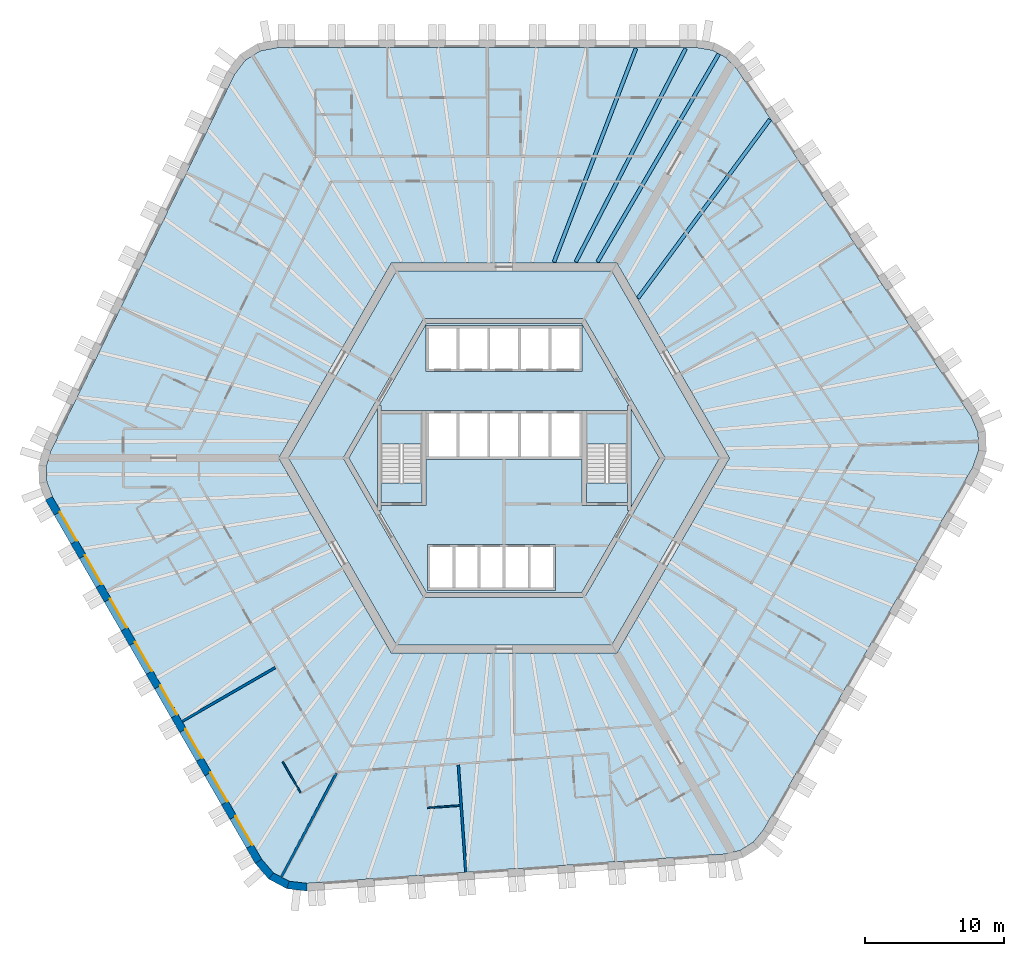
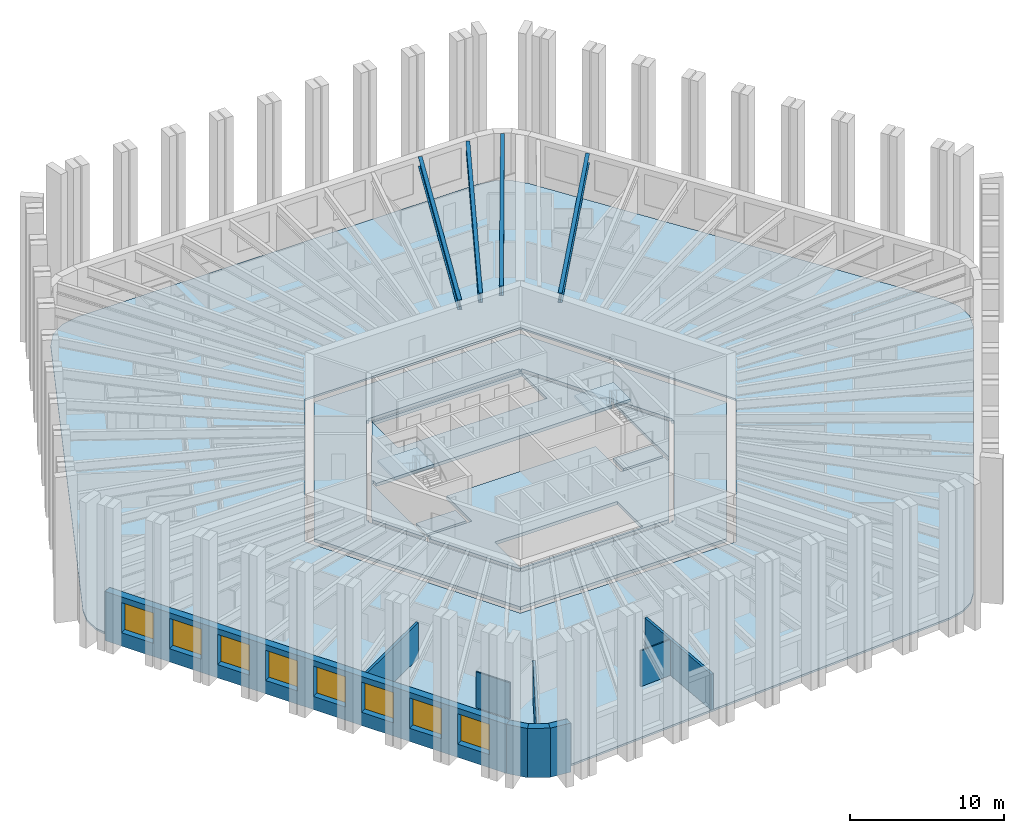
# One storey, part 2 of 13: 10 slabs, 9 walls, 8 windows, 4 beams, 8 openings, 2 elements without a shape of their own.
"""IFC4 building model written with IfcOpenShell, lengths in metres."""

from ifc_helpers import new_model, si_unit, direction, frame, frame_2d, origin, origin_2d, place, context, subcontext, project, spatial, polyline, rectangle, i_section, outline, extrude, material, layer, layer_set, material_profile, profile_set, type_object, element, fill, aggregate, save


model = new_model("IFC4")

# Units and contexts
model_context = context("Model", 3, precision=1e-05, world=origin(), true_north=direction((0.0, 1.0)))
body_context = subcontext(model_context, "Body", "Model", "MODEL_VIEW")
ifc_project = project(units=[si_unit("LENGTHUNIT", "METRE"), si_unit("AREAUNIT", "SQUARE_METRE"), si_unit("VOLUMEUNIT", "CUBIC_METRE"), si_unit("PLANEANGLEUNIT", "RADIAN"), si_unit("MASSUNIT", "GRAM", prefix="KILO")], contexts=[model_context])

# Site, building, storey
site_placement = place(None, origin())
site = spatial("IfcSite", under=ifc_project, at=site_placement, CompositionType="ELEMENT")
building_placement = place(site_placement, origin())
building = spatial("IfcBuilding", under=site, at=building_placement, Name="Tarnside Tower", CompositionType="ELEMENT")
storey_placement = place(building_placement, frame((0.0, 0.0, 135.0)))
storey = spatial("IfcBuildingStorey", under=building, at=storey_placement, Name="L31", CompositionType="ELEMENT", Elevation=135.0)

# Beams
ifc_material_1 = material(Name="Steel S355", Category="steel")
ifc_material_profile = material_profile(ifc_material_1, i_section(OverallWidth=0.2666015625, OverallDepth=0.76220703125, WebThickness=0.014404296875, FlangeThickness=0.021484375, FilletRadius=0.0166015625, at=origin_2d()), Name="UB 762x267x173")
ifc_profile_set = profile_set([ifc_material_profile], Name="Steel S355")
beam_type = type_object("IfcBeamType", Name="Floor beam UB 762x267x173", PredefinedType="BEAM", material=ifc_profile_set)
beam_1_placement = place(storey_placement, frame((13.0283203125, 29.37890625, 3.368896484375), z_axis=(-0.457973226459, -0.888965985765, 0.0), x_axis=(0.888965985765, -0.457973226459, 0.0)))
element("IfcBeam", 1, at=beam_1_placement, inside=storey, type_object=beam_type, Name="Floor beam F1.01", PredefinedType="BEAM", context=body_context, shape_type="SweptSolid", body=[
    extrude(i_section(OverallWidth=0.2666015625, OverallDepth=0.76220703125, WebThickness=0.014404296875, FlangeThickness=0.021484375, FilletRadius=0.0166015625, at=origin_2d()), origin(), (0.0, 0.0, 1.0), 17.219970703125),
])
beam_2_placement = place(storey_placement, frame((9.4619140625, 29.39404296875, 3.368896484375), z_axis=(-0.358299847269, -0.933606565662, 0.0), x_axis=(0.933606565662, -0.358299847269, 0.0)))
element("IfcBeam", 2, at=beam_2_placement, inside=storey, type_object=beam_type, Name="Floor beam F1.02", PredefinedType="BEAM", context=body_context, shape_type="SweptSolid", body=[
    extrude(i_section(OverallWidth=0.2666015625, OverallDepth=0.76220703125, WebThickness=0.014404296875, FlangeThickness=0.021484375, FilletRadius=0.0166015625, at=origin_2d()), origin(), (0.0, 0.0, 1.0), 16.428955078125),
])
beam_3_placement = place(storey_placement, frame((19.072021484375, 24.28857421875, 3.368896484375), z_axis=(-0.593986893499, -0.804474717037, 0.0), x_axis=(0.804474717037, -0.593986893499, 0.0)))
element("IfcBeam", 3, at=beam_3_placement, inside=storey, type_object=beam_type, Name="Floor beam F6.08", PredefinedType="BEAM", context=body_context, shape_type="SweptSolid", body=[
    extrude(i_section(OverallWidth=0.2666015625, OverallDepth=0.76220703125, WebThickness=0.014404296875, FlangeThickness=0.021484375, FilletRadius=0.0166015625, at=origin_2d()), origin(), (0.0, 0.0, 1.0), 15.934326171875),
])
beam_4_placement = place(storey_placement, frame((15.4013671875, 28.990478515625, 3.368896484375), z_axis=(-0.503858723096, -0.863786077198, 0.0), x_axis=(0.863786077198, -0.503858723096, 0.0)))
element("IfcBeam", 4, at=beam_4_placement, inside=storey, type_object=beam_type, Name="Floor beam C6", PredefinedType="BEAM", context=body_context, shape_type="SweptSolid", body=[
    extrude(i_section(OverallWidth=0.2666015625, OverallDepth=0.76220703125, WebThickness=0.014404296875, FlangeThickness=0.021484375, FilletRadius=0.0166015625, at=origin_2d()), origin(), (0.0, 0.0, 1.0), 17.2744140625),
])

# Slabs
ifc_material_2 = material(Name="Concrete C35/45", Category="concrete")
ifc_layer_1 = layer(ifc_material_2, 0.14990234375)
ifc_layer_set_1 = layer_set([ifc_layer_1], Name="Composite floor slab 150")
slab_type_1 = type_object("IfcSlabType", Name="Composite floor slab 150", PredefinedType="FLOOR", material=ifc_layer_set_1)
slab_1_placement = place(storey_placement, frame((0.0, 0.0, -0.14990234375)))
element("IfcSlab", 5, at=slab_1_placement, inside=storey, type_object=slab_type_1, Name="Floor slab L31", PredefinedType="FLOOR", context=body_context, shape_type="SweptSolid", body=[
    extrude(outline(polyline([(14.927490234375, 29.264892578125), (15.91455078125, 28.740234375), (16.697265625, 27.91064453125), (33.48583984375, 3.0205078125), (34.001220703125, 1.825439453125), (34.0458984375, 0.55078125), (33.614990234375, -0.67724609375), (18.603515625, -26.677978515625), (17.880615234375, -27.56005859375), (16.9326171875, -28.15234375), (15.82275390625, -28.41552734375), (-14.127197265625, -30.509765625), (-15.419921875, -30.358642578125), (-16.5458984375, -29.760009765625), (-17.39404296875, -28.772705078125), (-32.405517578125, -2.772216796875), (-32.80810546875, -1.704833984375), (-32.846923828125, -0.587890625), (-32.52001953125, 0.5048828125), (-19.358642578125, 27.4892578125), (-18.58154296875, 28.533203125), (-17.5, 29.208984375), (-16.220947265625, 29.449951171875), (13.802001953125, 29.449951171875), (14.927490234375, 29.264892578125)]), holes=[polyline([(-16.165771484375, 0.0), (-8.0830078125, -14.0), (8.0830078125, -14.0), (16.165771484375, 0.0), (8.0830078125, 14.0), (-8.0830078125, 14.0), (-16.165771484375, 0.0)])]), origin(), (0.0, 0.0, 1.0), 0.14990234375),
])
ifc_material_3 = material(Name="Concrete C40/50", Category="concrete")
ifc_layer_2 = layer(ifc_material_3, 0.25)
ifc_layer_set_2 = layer_set([ifc_layer_2], Name="Core slab C40/50")
slab_type_2 = type_object("IfcSlabType", Name="Core slab C40/50", PredefinedType="FLOOR", material=ifc_layer_set_2)
slab_2_placement = place(storey_placement, frame((0.0, 0.0, -0.25)))
element("IfcSlab", 6, at=slab_2_placement, inside=storey, type_object=slab_type_2, Name="L31 core floor slab 1", PredefinedType="FLOOR", context=body_context, shape_type="SweptSolid", body=[
    extrude(outline(polyline([(-15.472900390625, 0.0), (-7.736572265625, 13.39990234375), (7.736572265625, 13.39990234375), (15.472900390625, 0.0), (7.736572265625, -13.39990234375), (-7.736572265625, -13.39990234375), (-15.472900390625, 0.0)]), holes=[polyline([(5.823974609375, -9.91259765625), (11.49658203125, -0.08740234375), (11.344970703125, 0.0), (11.49658203125, 0.08740234375), (5.823974609375, 9.91259765625), (5.672607421875, 9.824951171875), (5.672607421875, 10.0), (-5.672607421875, 10.0), (-5.672607421875, 9.824951171875), (-5.823974609375, 9.91259765625), (-11.49658203125, 0.08740234375), (-11.344970703125, 0.0), (-11.49658203125, -0.08740234375), (-5.823974609375, -9.91259765625), (-5.672607421875, -9.824951171875), (-5.672607421875, -10.0), (5.672607421875, -10.0), (5.672607421875, -9.824951171875), (5.823974609375, -9.91259765625)])]), origin(), (0.0, 0.0, 1.0), 0.25),
])
slab_3_placement = place(storey_placement, frame((0.0, 0.0, -0.25)))
element("IfcSlab", 7, at=slab_3_placement, inside=storey, type_object=slab_type_2, Name="L31 core floor slab 2", PredefinedType="FLOOR", context=body_context, shape_type="SweptSolid", body=[
    extrude(outline(polyline([(-8.97509765625, 3.7548828125), (-5.5712890625, 9.64990234375), (5.5712890625, 9.64990234375), (8.97509765625, 3.7548828125), (8.85009765625, 3.7548828125), (8.85009765625, 3.39990234375), (5.89990234375, 3.39990234375), (5.60009765625, 3.39990234375), (5.60009765625, 3.39990234375), (-5.60009765625, 3.39990234375), (-5.89990234375, 3.39990234375), (-8.85009765625, 3.39990234375), (-8.85009765625, 3.7548828125), (-8.97509765625, 3.7548828125)]), holes=[polyline([(-5.60009765625, 6.199951171875), (5.60009765625, 6.199951171875), (5.60009765625, 6.39990234375), (5.60009765625, 9.300048828125), (5.60009765625, 9.5), (-5.60009765625, 9.5), (-5.60009765625, 9.300048828125), (-5.60009765625, 6.39990234375), (-5.60009765625, 6.199951171875)])]), origin(), (0.0, 0.0, 1.0), 0.25),
])
slab_4_placement = place(storey_placement, frame((0.0, 0.0, -0.25)))
element("IfcSlab", 8, at=slab_4_placement, inside=storey, type_object=slab_type_2, Name="L31 core floor slab 3", PredefinedType="FLOOR", context=body_context, shape_type="SweptSolid", body=[
    extrude(outline(polyline([(5.60009765625, -3.39990234375), (5.89990234375, -3.39990234375), (8.85009765625, -3.39990234375), (8.85009765625, -3.7548828125), (8.97509765625, -3.7548828125), (5.5712890625, -9.64990234375), (-5.5712890625, -9.64990234375), (-8.97509765625, -3.7548828125), (-8.85009765625, -3.7548828125), (-8.85009765625, -3.39990234375), (-5.89990234375, -3.39990234375), (-5.60009765625, -3.39990234375), (-5.60009765625, -0.10009765625), (5.60009765625, -0.10009765625), (5.60009765625, -3.39990234375)]), holes=[polyline([(-5.5, -9.300048828125), (-5.5, -9.5), (3.699951171875, -9.5), (3.699951171875, -9.300048828125), (3.699951171875, -6.39990234375), (3.699951171875, -6.199951171875), (-5.5, -6.199951171875), (-5.5, -6.39990234375), (-5.5, -9.300048828125)])]), origin(), (0.0, 0.0, 1.0), 0.25),
])
slab_5_placement = place(storey_placement, frame((0.0, 0.0, -0.25)))
element("IfcSlab", 9, at=slab_5_placement, inside=storey, type_object=slab_type_2, Name="L31 core floor slab 4", PredefinedType="FLOOR", context=body_context, shape_type="SweptSolid", body=[
    extrude(outline(polyline([(-11.142822265625, 0.0), (-9.10009765625, 3.538330078125), (-9.10009765625, -3.538330078125), (-11.142822265625, 0.0)])), origin(), (0.0, 0.0, 1.0), 0.25),
])
slab_6_placement = place(storey_placement, frame((0.0, 0.0, -0.25)))
element("IfcSlab", 10, at=slab_6_placement, inside=storey, type_object=slab_type_2, Name="L31 core floor slab 5", PredefinedType="FLOOR", context=body_context, shape_type="SweptSolid", body=[
    extrude(outline(polyline([(-8.85009765625, -1.800048828125), (-5.89990234375, -1.800048828125), (-5.89990234375, -3.199951171875), (-8.85009765625, -3.199951171875), (-8.85009765625, -1.800048828125)])), origin(), (0.0, 0.0, 1.0), 0.25),
])
slab_7_placement = place(storey_placement, frame((0.0, 0.0, -0.25)))
element("IfcSlab", 11, at=slab_7_placement, inside=storey, type_object=slab_type_2, Name="L31 core floor slab 6", PredefinedType="FLOOR", context=body_context, shape_type="SweptSolid", body=[
    extrude(outline(polyline([(5.89990234375, -3.199951171875), (5.89990234375, -1.800048828125), (8.85009765625, -1.800048828125), (8.85009765625, -3.199951171875), (5.89990234375, -3.199951171875)])), origin(), (0.0, 0.0, 1.0), 0.25),
])
slab_8_placement = place(storey_placement, frame((0.0, 0.0, -0.25)))
element("IfcSlab", 12, at=slab_8_placement, inside=storey, type_object=slab_type_2, Name="L31 core floor slab 7", PredefinedType="FLOOR", context=body_context, shape_type="SweptSolid", body=[
    extrude(outline(polyline([(9.10009765625, -3.538330078125), (9.10009765625, 3.538330078125), (11.142822265625, 0.0), (9.10009765625, -3.538330078125)])), origin(), (0.0, 0.0, 1.0), 0.25),
])

# Stair, slab
stair_type = type_object("IfcStairType", Name="Exit stair 1400 clear", PredefinedType="HALF_TURN_STAIR", material=ifc_material_3)
stair_1_placement = place(storey_placement, origin())
stair_1 = element("IfcStair", 13, at=stair_1_placement, inside=storey, type_object=stair_type, Name="L31 Exit stair 1", PredefinedType="HALF_TURN_STAIR")
ifc_layer_3 = layer(ifc_material_3, 0.199951171875)
ifc_layer_set_3 = layer_set([ifc_layer_3], Name="Stair landing 200 C40/50")
slab_type_3 = type_object("IfcSlabType", Name="Stair landing 200 C40/50", PredefinedType="LANDING", material=ifc_layer_set_3)
slab_9_placement = place(storey_placement, frame((0.0, 0.0, 1.75)))
slab_9 = element("IfcSlab", 14, at=slab_9_placement, type_object=slab_type_3, Name="ST1 landing 1", PredefinedType="LANDING", context=body_context, shape_type="SweptSolid", body=[
    extrude(outline(polyline([(8.85009765625, 1.0), (8.85009765625, 3.199951171875), (5.89990234375, 3.199951171875), (5.89990234375, 1.0), (8.85009765625, 1.0)])), origin(), (0.0, 0.0, 1.0), 0.199951171875),
])
aggregate(stair_1, [slab_9])

stair_2_placement = place(storey_placement, origin())
stair_2 = element("IfcStair", 15, at=stair_2_placement, inside=storey, type_object=stair_type, Name="L31 Exit stair 2", PredefinedType="HALF_TURN_STAIR")
slab_10_placement = place(storey_placement, frame((0.0, 0.0, 1.75)))
slab_10 = element("IfcSlab", 16, at=slab_10_placement, type_object=slab_type_3, Name="ST2 landing 1", PredefinedType="LANDING", context=body_context, shape_type="SweptSolid", body=[
    extrude(outline(polyline([(-5.89990234375, 1.0), (-5.89990234375, 3.199951171875), (-8.85009765625, 3.199951171875), (-8.85009765625, 1.0), (-5.89990234375, 1.0)])), origin(), (0.0, 0.0, 1.0), 0.199951171875),
])
aggregate(stair_2, [slab_10])

# Walls
ifc_material_4 = material(Name="Gypsum board partition on steel studs", Category="steel")
ifc_layer_4 = layer(ifc_material_4, 0.10009765625)
ifc_layer_set_4 = layer_set([ifc_layer_4], Name="Bathroom wall 100")
wall_type_1 = type_object("IfcWallType", Name="Bathroom wall 100", PredefinedType="PARTITIONING", material=ifc_layer_set_4)
wall_1_placement = place(storey_placement, frame((-14.6083984375, -23.99755859375, 0.0), z_axis=(0.0, 0.0, 1.0), x_axis=(-0.499990435942, 0.866030925526, 0.0)))
element("IfcWall", 17, at=wall_1_placement, inside=storey, type_object=wall_type_1, Name="Bathroom wall 10118", PredefinedType="PARTITIONING", context=body_context, shape_type="SweptSolid", body=[
    extrude(rectangle(XDim=2.5498046875, YDim=0.10009765625, at=frame_2d((1.27490234375, 0.0))), origin(), (0.0, 0.0, 1.0), 2.837890625),
])
wall_2_placement = place(storey_placement, frame((-3.169677734375, -24.931884765625, 0.0), z_axis=(0.0, 0.0, 1.0), x_axis=(-0.997564338377, -0.069752353356, 0.0)))
element("IfcWall", 18, at=wall_2_placement, inside=storey, type_object=wall_type_1, Name="Bathroom wall 10121", PredefinedType="PARTITIONING", context=body_context, shape_type="SweptSolid", body=[
    extrude(rectangle(XDim=2.31005859375, YDim=0.10009765625, at=frame_2d((1.155029296875, 0.0))), origin(), (0.0, 0.0, 1.0), 2.837890625),
])
ifc_layer_5 = layer(ifc_material_4, 0.179931640625)
ifc_layer_set_5 = layer_set([ifc_layer_5], Name="Demising wall 180 EI 60")
wall_type_2 = type_object("IfcWallType", Name="Demising wall 180 EI 60", PredefinedType="PARTITIONING", material=ifc_layer_set_5)
wall_3_placement = place(storey_placement, frame((-23.098876953125, -18.8916015625, 0.0), z_axis=(0.0, 0.0, 1.0), x_axis=(0.866019273868, 0.500010617176, 0.0)))
element("IfcWall", 19, at=wall_3_placement, inside=storey, type_object=wall_type_2, Name="Demising wall 10116", PredefinedType="PARTITIONING", context=body_context, shape_type="SweptSolid", body=[
    extrude(rectangle(XDim=7.724853515625, YDim=0.179931640625, at=frame_2d((3.8623046875, 0.0))), origin(), (0.0, 0.0, 1.0), 2.837890625),
])
wall_4_placement = place(storey_placement, frame((-15.98291015625, -30.059326171875, 0.0), z_axis=(0.0, 0.0, 1.0), x_axis=(0.469475065364, 0.882945730496, 0.0)))
element("IfcWall", 20, at=wall_4_placement, inside=storey, type_object=wall_type_2, Name="Demising wall 10120", PredefinedType="PARTITIONING", context=body_context, shape_type="SweptSolid", body=[
    extrude(rectangle(XDim=8.426513671875, YDim=0.179931640625, at=frame_2d((4.21337890625, 0.0))), origin(), (0.0, 0.0, 1.0), 2.837890625),
])
wall_5_placement = place(storey_placement, frame((-2.7451171875, -29.7138671875, 0.0), z_axis=(0.0, 0.0, 1.0), x_axis=(-0.069748931501, 0.997564577636, 0.0)))
element("IfcWall", 21, at=wall_5_placement, inside=storey, type_object=wall_type_2, Name="Demising wall 10123", PredefinedType="PARTITIONING", context=body_context, shape_type="SweptSolid", body=[
    extrude(rectangle(XDim=7.72509765625, YDim=0.179931640625, at=frame_2d((3.862548828125, 0.0))), origin(), (0.0, 0.0, 1.0), 2.837890625),
])

# Wall, openings, windows
ifc_material_5 = material(Name="Facing brick", Category="masonry")
ifc_layer_6 = layer(ifc_material_5, 0.10205078125)
ifc_material_6 = material(Name="Concrete C60/75 precast", Category="concrete")
ifc_layer_7 = layer(ifc_material_6, 0.347900390625)
ifc_material_7 = material(Name="Mineral wool insulation")
ifc_layer_8 = layer(ifc_material_7, 0.10009765625)
ifc_layer_set_6 = layer_set([ifc_layer_6, ifc_layer_7, ifc_layer_8], Name="Tube wall 550 brick faced")
wall_type_3 = type_object("IfcWallType", Name="Tube wall 550 brick faced", PredefinedType="SOLIDWALL", material=ifc_layer_set_6)
wall_6_placement = place(storey_placement, frame((-32.65478515625, -2.89013671875, -0.14990234375), z_axis=(0.0, 0.0, 1.0), x_axis=(0.499997711317, -0.866026725152, 0.0)))
wall_6 = element("IfcWall", 22, at=wall_6_placement, inside=storey, type_object=wall_type_3, Name="Tube wall L31 F3 flush 08", PredefinedType="SOLIDWALL", context=body_context, shape_type="SweptSolid", body=[
    extrude(outline(polyline([(-0.0224609375, -0.27490234375), (30.0966796875, -0.27490234375), (30.04541015625, 0.27490234375), (0.0224609375, 0.27490234375), (-0.0224609375, -0.27490234375)])), origin(), (0.0, 0.0, 1.0), 3.89990234375),
])
opening_1_placement = place(wall_6_placement, frame((1.235595703125, 0.0, 1.050048828125)))
opening_1 = element("IfcOpeningElement", 23, at=opening_1_placement, cuts=wall_6, Name="Opening WH", PredefinedType="OPENING", context=body_context, shape_type="SweptSolid", body=[
    extrude(rectangle(XDim=2.39990234375, YDim=2.39990234375, at=frame_2d((1.199951171875, 1.199951171875))), frame((0.0, 0.28515625, 0.0), z_axis=(0.0, -1.0, 0.0), x_axis=(1.0, 0.0, 0.0)), (0.0, 0.0, 1.0), 0.570068359375),
])
opening_2_placement = place(wall_6_placement, frame((4.83544921875, 0.0, 1.050048828125)))
opening_2 = element("IfcOpeningElement", 24, at=opening_2_placement, cuts=wall_6, Name="Opening WH", PredefinedType="OPENING", context=body_context, shape_type="SweptSolid", body=[
    extrude(rectangle(XDim=2.39990234375, YDim=2.39990234375, at=frame_2d((1.199951171875, 1.199951171875))), frame((0.0, 0.28515625, 0.0), z_axis=(0.0, -1.0, 0.0), x_axis=(1.0, 0.0, 0.0)), (0.0, 0.0, 1.0), 0.570068359375),
])
opening_3_placement = place(wall_6_placement, frame((8.435546875, 0.0, 1.050048828125)))
opening_3 = element("IfcOpeningElement", 25, at=opening_3_placement, cuts=wall_6, Name="Opening WH", PredefinedType="OPENING", context=body_context, shape_type="SweptSolid", body=[
    extrude(rectangle(XDim=2.39990234375, YDim=2.39990234375, at=frame_2d((1.199951171875, 1.199951171875))), frame((0.0, 0.28515625, 0.0), z_axis=(0.0, -1.0, 0.0), x_axis=(1.0, 0.0, 0.0)), (0.0, 0.0, 1.0), 0.570068359375),
])
opening_4_placement = place(wall_6_placement, frame((12.035400390625, 0.0, 1.050048828125)))
opening_4 = element("IfcOpeningElement", 26, at=opening_4_placement, cuts=wall_6, Name="Opening WH", PredefinedType="OPENING", context=body_context, shape_type="SweptSolid", body=[
    extrude(rectangle(XDim=2.39990234375, YDim=2.39990234375, at=frame_2d((1.199951171875, 1.199951171875))), frame((0.0, 0.28515625, 0.0), z_axis=(0.0, -1.0, 0.0), x_axis=(1.0, 0.0, 0.0)), (0.0, 0.0, 1.0), 0.570068359375),
])
opening_5_placement = place(wall_6_placement, frame((15.635498046875, 0.0, 1.050048828125)))
opening_5 = element("IfcOpeningElement", 27, at=opening_5_placement, cuts=wall_6, Name="Opening WH", PredefinedType="OPENING", context=body_context, shape_type="SweptSolid", body=[
    extrude(rectangle(XDim=2.39990234375, YDim=2.39990234375, at=frame_2d((1.199951171875, 1.199951171875))), frame((0.0, 0.28515625, 0.0), z_axis=(0.0, -1.0, 0.0), x_axis=(1.0, 0.0, 0.0)), (0.0, 0.0, 1.0), 0.570068359375),
])
opening_6_placement = place(wall_6_placement, frame((19.235595703125, 0.0, 1.050048828125)))
opening_6 = element("IfcOpeningElement", 28, at=opening_6_placement, cuts=wall_6, Name="Opening WH", PredefinedType="OPENING", context=body_context, shape_type="SweptSolid", body=[
    extrude(rectangle(XDim=2.39990234375, YDim=2.39990234375, at=frame_2d((1.199951171875, 1.199951171875))), frame((0.0, 0.28515625, 0.0), z_axis=(0.0, -1.0, 0.0), x_axis=(1.0, 0.0, 0.0)), (0.0, 0.0, 1.0), 0.570068359375),
])
opening_7_placement = place(wall_6_placement, frame((22.83544921875, 0.0, 1.050048828125)))
opening_7 = element("IfcOpeningElement", 29, at=opening_7_placement, cuts=wall_6, Name="Opening WH", PredefinedType="OPENING", context=body_context, shape_type="SweptSolid", body=[
    extrude(rectangle(XDim=2.39990234375, YDim=2.39990234375, at=frame_2d((1.199951171875, 1.199951171875))), frame((0.0, 0.28515625, 0.0), z_axis=(0.0, -1.0, 0.0), x_axis=(1.0, 0.0, 0.0)), (0.0, 0.0, 1.0), 0.570068359375),
])
opening_8_placement = place(wall_6_placement, frame((26.435546875, 0.0, 1.050048828125)))
opening_8 = element("IfcOpeningElement", 30, at=opening_8_placement, cuts=wall_6, Name="Opening WH", PredefinedType="OPENING", context=body_context, shape_type="SweptSolid", body=[
    extrude(rectangle(XDim=2.39990234375, YDim=2.39990234375, at=frame_2d((1.199951171875, 1.199951171875))), frame((0.0, 0.28515625, 0.0), z_axis=(0.0, -1.0, 0.0), x_axis=(1.0, 0.0, 0.0)), (0.0, 0.0, 1.0), 0.570068359375),
])
ifc_material_8 = material(Name="Aluminium-framed double glazing", Category="aluminium")
window_type = type_object("IfcWindowType", Name="Hotel window 2400 x 2400", PartitioningType="DOUBLE_PANEL_VERTICAL", PredefinedType="WINDOW", material=ifc_material_8)
window_1_placement = place(opening_1_placement, frame((0.0, 0.205078125, 0.0)))
window_1 = element("IfcWindow", 31, at=window_1_placement, inside=storey, type_object=window_type, Name="E.WN.L31.F3.00", OverallHeight=2.39990234375, OverallWidth=2.39990234375, PartitioningType="DOUBLE_PANEL_VERTICAL", PredefinedType="WINDOW", context=body_context, shape_type="SweptSolid", body=[
    extrude(rectangle(XDim=2.39990234375, YDim=2.39990234375, at=frame_2d((1.199951171875, 1.199951171875))), frame((0.0, 0.030029296875, 0.0), z_axis=(0.0, -1.0, 0.0), x_axis=(1.0, 0.0, 0.0)), (0.0, 0.0, 1.0), 0.06005859375),
])
fill(opening_1, window_1)
window_2_placement = place(opening_2_placement, frame((0.0, 0.205078125, 0.0)))
window_2 = element("IfcWindow", 32, at=window_2_placement, inside=storey, type_object=window_type, Name="E.WN.L31.F3.01", OverallHeight=2.39990234375, OverallWidth=2.39990234375, PartitioningType="DOUBLE_PANEL_VERTICAL", PredefinedType="WINDOW", context=body_context, shape_type="SweptSolid", body=[
    extrude(rectangle(XDim=2.39990234375, YDim=2.39990234375, at=frame_2d((1.199951171875, 1.199951171875))), frame((0.0, 0.030029296875, 0.0), z_axis=(0.0, -1.0, 0.0), x_axis=(1.0, 0.0, 0.0)), (0.0, 0.0, 1.0), 0.06005859375),
])
fill(opening_2, window_2)
window_3_placement = place(opening_3_placement, frame((0.0, 0.205078125, 0.0)))
window_3 = element("IfcWindow", 33, at=window_3_placement, inside=storey, type_object=window_type, Name="E.WN.L31.F3.02", OverallHeight=2.39990234375, OverallWidth=2.39990234375, PartitioningType="DOUBLE_PANEL_VERTICAL", PredefinedType="WINDOW", context=body_context, shape_type="SweptSolid", body=[
    extrude(rectangle(XDim=2.39990234375, YDim=2.39990234375, at=frame_2d((1.199951171875, 1.199951171875))), frame((0.0, 0.030029296875, 0.0), z_axis=(0.0, -1.0, 0.0), x_axis=(1.0, 0.0, 0.0)), (0.0, 0.0, 1.0), 0.06005859375),
])
fill(opening_3, window_3)
window_4_placement = place(opening_4_placement, frame((0.0, 0.205078125, 0.0)))
window_4 = element("IfcWindow", 34, at=window_4_placement, inside=storey, type_object=window_type, Name="E.WN.L31.F3.03", OverallHeight=2.39990234375, OverallWidth=2.39990234375, PartitioningType="DOUBLE_PANEL_VERTICAL", PredefinedType="WINDOW", context=body_context, shape_type="SweptSolid", body=[
    extrude(rectangle(XDim=2.39990234375, YDim=2.39990234375, at=frame_2d((1.199951171875, 1.199951171875))), frame((0.0, 0.030029296875, 0.0), z_axis=(0.0, -1.0, 0.0), x_axis=(1.0, 0.0, 0.0)), (0.0, 0.0, 1.0), 0.06005859375),
])
fill(opening_4, window_4)
window_5_placement = place(opening_5_placement, frame((0.0, 0.205078125, 0.0)))
window_5 = element("IfcWindow", 35, at=window_5_placement, inside=storey, type_object=window_type, Name="E.WN.L31.F3.04", OverallHeight=2.39990234375, OverallWidth=2.39990234375, PartitioningType="DOUBLE_PANEL_VERTICAL", PredefinedType="WINDOW", context=body_context, shape_type="SweptSolid", body=[
    extrude(rectangle(XDim=2.39990234375, YDim=2.39990234375, at=frame_2d((1.199951171875, 1.199951171875))), frame((0.0, 0.030029296875, 0.0), z_axis=(0.0, -1.0, 0.0), x_axis=(1.0, 0.0, 0.0)), (0.0, 0.0, 1.0), 0.06005859375),
])
fill(opening_5, window_5)
window_6_placement = place(opening_6_placement, frame((0.0, 0.205078125, 0.0)))
window_6 = element("IfcWindow", 36, at=window_6_placement, inside=storey, type_object=window_type, Name="E.WN.L31.F3.05", OverallHeight=2.39990234375, OverallWidth=2.39990234375, PartitioningType="DOUBLE_PANEL_VERTICAL", PredefinedType="WINDOW", context=body_context, shape_type="SweptSolid", body=[
    extrude(rectangle(XDim=2.39990234375, YDim=2.39990234375, at=frame_2d((1.199951171875, 1.199951171875))), frame((0.0, 0.030029296875, 0.0), z_axis=(0.0, -1.0, 0.0), x_axis=(1.0, 0.0, 0.0)), (0.0, 0.0, 1.0), 0.06005859375),
])
fill(opening_6, window_6)
window_7_placement = place(opening_7_placement, frame((0.0, 0.205078125, 0.0)))
window_7 = element("IfcWindow", 37, at=window_7_placement, inside=storey, type_object=window_type, Name="E.WN.L31.F3.06", OverallHeight=2.39990234375, OverallWidth=2.39990234375, PartitioningType="DOUBLE_PANEL_VERTICAL", PredefinedType="WINDOW", context=body_context, shape_type="SweptSolid", body=[
    extrude(rectangle(XDim=2.39990234375, YDim=2.39990234375, at=frame_2d((1.199951171875, 1.199951171875))), frame((0.0, 0.030029296875, 0.0), z_axis=(0.0, -1.0, 0.0), x_axis=(1.0, 0.0, 0.0)), (0.0, 0.0, 1.0), 0.06005859375),
])
fill(opening_7, window_7)
window_8_placement = place(opening_8_placement, frame((0.0, 0.205078125, 0.0)))
window_8 = element("IfcWindow", 38, at=window_8_placement, inside=storey, type_object=window_type, Name="E.WN.L31.F3.07", OverallHeight=2.39990234375, OverallWidth=2.39990234375, PartitioningType="DOUBLE_PANEL_VERTICAL", PredefinedType="WINDOW", context=body_context, shape_type="SweptSolid", body=[
    extrude(rectangle(XDim=2.39990234375, YDim=2.39990234375, at=frame_2d((1.199951171875, 1.199951171875))), frame((0.0, 0.030029296875, 0.0), z_axis=(0.0, -1.0, 0.0), x_axis=(1.0, 0.0, 0.0)), (0.0, 0.0, 1.0), 0.06005859375),
])
fill(opening_8, window_8)

# Walls
wall_7_placement = place(storey_placement, frame((-17.619384765625, -28.932373046875, -0.14990234375), z_axis=(0.0, 0.0, 1.0), x_axis=(0.651621950847, -0.758543890078, 0.0)))
element("IfcWall", 39, at=wall_7_placement, inside=storey, type_object=wall_type_3, Name="Tube wall L31 F3 chord 09", PredefinedType="SOLIDWALL", context=body_context, shape_type="SweptSolid", body=[
    extrude(outline(polyline([(-0.025634765625, -0.27490234375), (1.430908203125, -0.27490234375), (1.327392578125, 0.27490234375), (0.025634765625, 0.27490234375), (-0.025634765625, -0.27490234375)])), origin(), (0.0, 0.0, 1.0), 3.89990234375),
])
wall_8_placement = place(storey_placement, frame((-16.720703125, -29.978515625, -0.14990234375), z_axis=(0.0, 0.0, 1.0), x_axis=(0.882994189209, -0.469383917304, 0.0)))
element("IfcWall", 40, at=wall_8_placement, inside=storey, type_object=wall_type_3, Name="Tube wall L31 F3 chord 10", PredefinedType="SOLIDWALL", context=body_context, shape_type="SweptSolid", body=[
    extrude(outline(polyline([(-0.0517578125, -0.27490234375), (1.4306640625, -0.27490234375), (1.3271484375, 0.27490234375), (0.0517578125, 0.27490234375), (-0.0517578125, -0.27490234375)])), origin(), (0.0, 0.0, 1.0), 3.89990234375),
])
wall_9_placement = place(storey_placement, frame((-15.503173828125, -30.625732421875, -0.14990234375), z_axis=(0.0, 0.0, 1.0), x_axis=(0.993232537394, -0.11614269956, 0.0)))
element("IfcWall", 41, at=wall_9_placement, inside=storey, type_object=wall_type_3, Name="Tube wall L31 F3 chord 11", PredefinedType="SOLIDWALL", context=body_context, shape_type="SweptSolid", body=[
    extrude(outline(polyline([(-0.0517578125, -0.27490234375), (1.404541015625, -0.27490234375), (1.353271484375, 0.27490234375), (0.0517578125, 0.27490234375), (-0.0517578125, -0.27490234375)])), origin(), (0.0, 0.0, 1.0), 3.89990234375),
])

save(model, "model.ifc")
